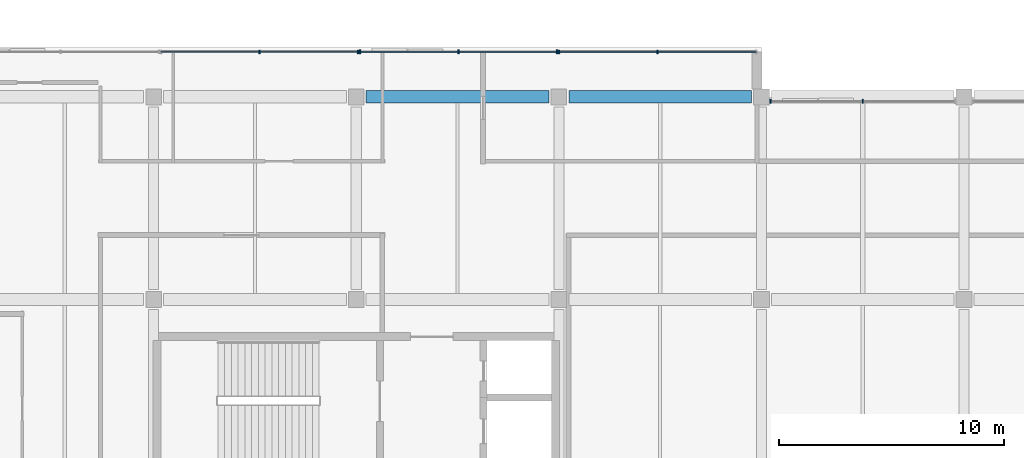
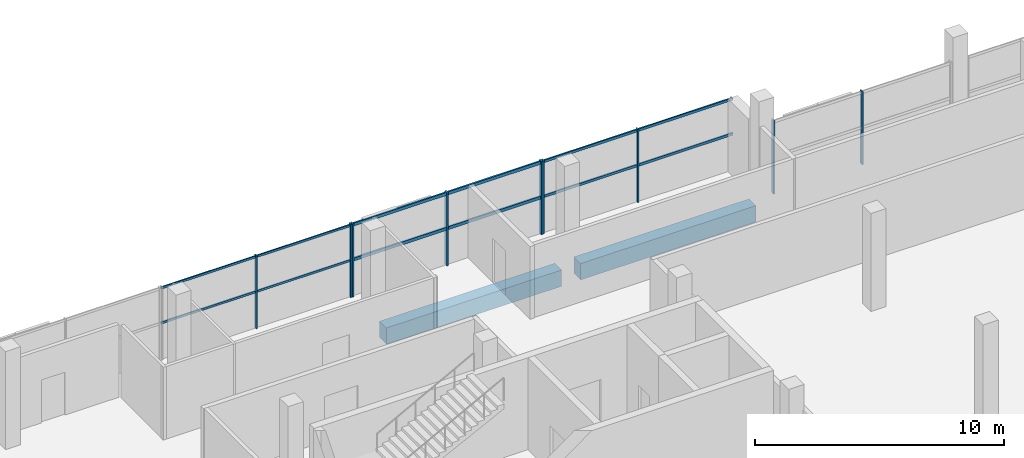
# One storey, part 46 of 111: 15 members, 2 beams, 4 elements without a shape of their own.
"""IFC4 building model written with IfcOpenShell, lengths in metres."""

import ifcopenshell
import ifcopenshell.guid

model = None  # the IFC model being written
_history = None  # IfcOwnerHistory: only IFC2X3 demands one
_inside = {}  # id of a spatial element -> (the spatial element, [elements in it])
_under = {}  # id of a project, library or spatial element -> (it, [spatial elements below it])
_declared = {}  # id of a project -> (the project, [libraries it declares])
_typed = {}  # id of a type object -> (the type object, [elements of that type])
_made_of = {}  # id of a material, layer set ... -> (it, [elements and type objects made of it])


def new_model(schema):
    """Start an empty IFC model of exactly this schema.

    Asked for "IFC4X3", IfcOpenShell would pick the latest addendum, in which some entities
    have other attributes; the version numbers below select the first issue.
    IFC2X3 requires an IfcOwnerHistory on every rooted entity: one is made here for all.
    """
    global model, _history
    if schema == "IFC4X3":
        model = ifcopenshell.file(schema_version=(4, 3, 0, 0))
    else:
        model = ifcopenshell.file(schema=schema)
    _inside.clear()
    _under.clear()
    _declared.clear()
    _typed.clear()
    _made_of.clear()
    _history = None
    if model.schema == "IFC2X3":
        org = make("IfcOrganization", Name="unknown")
        user = make(
            "IfcPersonAndOrganization",
            ThePerson=make("IfcPerson", FamilyName="unknown"),
            TheOrganization=org,
        )
        app = make(
            "IfcApplication",
            ApplicationDeveloper=org,
            Version="unknown",
            ApplicationFullName="unknown",
            ApplicationIdentifier="unknown",
        )
        _history = make(
            "IfcOwnerHistory",
            OwningUser=user,
            OwningApplication=app,
            ChangeAction="ADDED",
            CreationDate=0,
        )
    return model


def make(cls, **values):
    """One entity of the class cls with the attributes given. An attribute that is None is left unset."""
    return model.create_entity(
        cls, **{name: value for name, value in values.items() if value is not None}
    )


def rooted(cls, **values):
    """An entity with a GlobalId (a new one), such as an element, a storey or a relation."""
    return make(cls, GlobalId=ifcopenshell.guid.new(), OwnerHistory=_history, **values)


def si_unit(unit_type, name, prefix=None):
    """IfcSIUnit, for example si_unit("LENGTHUNIT", "METRE", prefix="MILLI")."""
    return make("IfcSIUnit", UnitType=unit_type, Prefix=prefix, Name=name)


def assignment(units):
    """IfcUnitAssignment: the units of a project."""
    return None if units is None else make("IfcUnitAssignment", Units=units)


def point(xyz):
    """IfcCartesianPoint."""
    return None if xyz is None else make("IfcCartesianPoint", Coordinates=xyz)


def direction(xyz):
    """IfcDirection."""
    return None if xyz is None else make("IfcDirection", DirectionRatios=xyz)


def frame(location, z_axis=None, x_axis=None):
    """IfcAxis2Placement3D, a coordinate frame: its origin and axes. An axis left out is left unset."""
    return make(
        "IfcAxis2Placement3D",
        Location=point(location),
        Axis=direction(z_axis),
        RefDirection=direction(x_axis),
    )


def frame_2d(location, x_axis=None):
    """IfcAxis2Placement2D, a coordinate frame in the plane: its origin and x axis."""
    return make(
        "IfcAxis2Placement2D", Location=point(location), RefDirection=direction(x_axis)
    )


def origin():
    """The frame at (0, 0, 0) with its axes left unset."""
    return frame((0.0, 0.0, 0.0))


def origin_2d():
    """The frame at (0, 0) in the plane with its x axis left unset."""
    return frame_2d((0.0, 0.0))


def place(relative_to, where):
    """IfcLocalPlacement: puts the frame where relative to a parent placement (None: the world)."""
    return make(
        "IfcLocalPlacement", PlacementRelTo=relative_to, RelativePlacement=where
    )


def context(
    kind, dimensions, precision=None, world=None, true_north=None, identifier=None
):
    """IfcGeometricRepresentationContext, for example the 3D "Model" context."""
    return make(
        "IfcGeometricRepresentationContext",
        ContextIdentifier=identifier,
        ContextType=kind,
        CoordinateSpaceDimension=dimensions,
        Precision=precision,
        WorldCoordinateSystem=world,
        TrueNorth=true_north,
    )


def subcontext(parent, identifier, kind, view, scale=None):
    """IfcGeometricRepresentationSubContext, for example "Body" below "Model"."""
    return make(
        "IfcGeometricRepresentationSubContext",
        ContextIdentifier=identifier,
        ContextType=kind,
        ParentContext=parent,
        TargetScale=scale,
        TargetView=view,
    )


def project(units=None, contexts=None):
    """IfcProject with its units and contexts."""
    return rooted(
        "IfcProject",
        Name="project",
        RepresentationContexts=contexts,
        UnitsInContext=assignment(units),
    )


def spatial(cls, under=None, at=None, **own):
    """A site, building, storey or space (cls), placed at a placement, below another one or the project."""
    s = rooted(cls, ObjectPlacement=at, **own)
    if under is not None:
        _under.setdefault(under.id(), (under, []))[1].append(s)
    return s


def profile(cls, at=None, kind="AREA", **sizes):
    """A parametric profile (cls). Its sizes go by their IFC names, for example OverallWidth=200.0."""
    return make(cls, ProfileType=kind, Position=at, **sizes)


def rectangle(**sizes):
    """IfcRectangleProfileDef."""
    return profile("IfcRectangleProfileDef", **sizes)


def extrude(swept, where, along, depth):
    """IfcExtrudedAreaSolid: the profile swept, set in the frame where, extruded along a direction by depth."""
    return make(
        "IfcExtrudedAreaSolid",
        SweptArea=swept,
        Position=where,
        ExtrudedDirection=direction(along),
        Depth=depth,
    )


def shape(context_of_items, identifier, shape_type, items):
    """IfcShapeRepresentation: the items that make up one representation, for example the "Body"."""
    return make(
        "IfcShapeRepresentation",
        ContextOfItems=context_of_items,
        RepresentationIdentifier=identifier,
        RepresentationType=shape_type,
        Items=items,
    )


def material(Name=None, Category=None):
    """IfcMaterial."""
    return make("IfcMaterial", Name=Name, Category=Category)


def material_profile(
    of_material, cross_section, Name=None, Category=None, Priority=None
):
    """IfcMaterialProfile: a cross section and its material."""
    return make(
        "IfcMaterialProfile",
        Name=Name,
        Material=of_material,
        Profile=cross_section,
        Priority=Priority,
        Category=Category,
    )


def profile_set(profiles, Name=None, composite=None):
    """IfcMaterialProfileSet."""
    return make(
        "IfcMaterialProfileSet",
        Name=Name,
        MaterialProfiles=profiles,
        CompositeProfile=composite,
    )


def made_of(thing, what):
    """Note that an element or type object is made of a material, layer set ...; save() writes the relation."""
    if what is not None:
        _made_of.setdefault(what.id(), (what, []))[1].append(thing)
    return thing


def type_object(cls, material=None, **own):
    """A type object (cls), such as IfcWallType, which elements share."""
    return made_of(rooted(cls, **own), material)


def element(
    cls,
    number,
    at=None,
    inside=None,
    cuts=None,
    type_object=None,
    material=None,
    context=None,
    identifier="Body",
    shape_type=None,
    held_by="IfcProductDefinitionShape",
    body=None,
    shapes=None,
    **own,
):
    """One element of the class cls, such as IfcWall. Its Tag is "e" and its number.

    at: its placement. inside: the storey or other place that contains it. cuts: it is an
    opening in that element (IfcRelVoidsElement). A single representation is given by context,
    identifier, shape_type and body (its items); several are given by shapes. held_by: the class
    of the entity that holds the representations. save() writes the other relations.
    """
    e = rooted(cls, Tag="e%d" % number, ObjectPlacement=at, **own)
    if body is not None:
        shapes = [shape(context, identifier, shape_type, body)]
    if shapes is not None:
        e.Representation = make(held_by, Representations=shapes)
    if inside is not None:
        _inside.setdefault(inside.id(), (inside, []))[1].append(e)
    if cuts is not None:
        rooted(
            "IfcRelVoidsElement", RelatingBuildingElement=cuts, RelatedOpeningElement=e
        )
    if type_object is not None:
        _typed.setdefault(type_object.id(), (type_object, []))[1].append(e)
    return made_of(e, material)


def aggregate(whole, parts):
    """IfcRelAggregates: a whole, such as a stair, and the parts it consists of."""
    return rooted("IfcRelAggregates", RelatingObject=whole, RelatedObjects=parts)


def save(model, path):
    """Write the relations noted so far, then the file.

    IfcRelAggregates (storeys below a building ...), IfcRelContainedInSpatialStructure (elements
    in a storey), IfcRelDefinesByType, IfcRelAssociatesMaterial and IfcRelDeclares: one each for
    every whole, place, type object, material and project.
    """
    for whole, parts in _under.values():
        aggregate(whole, parts)
    for where, things in _inside.values():
        rooted(
            "IfcRelContainedInSpatialStructure",
            RelatedElements=things,
            RelatingStructure=where,
        )
    for kind, things in _typed.values():
        rooted("IfcRelDefinesByType", RelatedObjects=things, RelatingType=kind)
    for what, things in _made_of.values():
        rooted("IfcRelAssociatesMaterial", RelatedObjects=things, RelatingMaterial=what)
    for by, libraries in _declared.values():
        rooted("IfcRelDeclares", RelatingContext=by, RelatedDefinitions=libraries)
    model.write(path)


model = new_model("IFC4")

# Units and contexts
model_context = context("Model", 3, precision=1e-05, world=origin(), true_north=direction((0.0, 1.0)))
body_context = subcontext(model_context, "Body", "Model", "MODEL_VIEW")
ifc_project = project(units=[si_unit("LENGTHUNIT", "METRE"), si_unit("AREAUNIT", "SQUARE_METRE"), si_unit("VOLUMEUNIT", "CUBIC_METRE"), si_unit("PLANEANGLEUNIT", "RADIAN"), si_unit("MASSUNIT", "GRAM", prefix="KILO"), si_unit("THERMODYNAMICTEMPERATUREUNIT", "KELVIN"), si_unit("POWERUNIT", "WATT")], contexts=[model_context])

# Site, building, storey
site_placement = place(None, origin())
site = spatial("IfcSite", under=ifc_project, at=site_placement, CompositionType="ELEMENT")
building_placement = place(site_placement, origin())
building = spatial("IfcBuilding", under=site, at=building_placement, Name="Sindhuravela Promenade Stadium", CompositionType="ELEMENT")
storey_placement = place(building_placement, frame((0.0, 0.0, 9.60009765625)))
storey = spatial("IfcBuildingStorey", under=building, at=storey_placement, Name="L02", CompositionType="ELEMENT", Elevation=9.60009765625)

# Curtain wall, members
ifc_material_1 = material(Name="Anodised architectural aluminium 6063-T6", Category="aluminium")
curtain_wall_type_1 = type_object("IfcCurtainWallType", Name="CW-MOD-5", PredefinedType="NOTDEFINED", material=ifc_material_1)
curtain_wall_1_placement = place(storey_placement, origin())
curtain_wall_1 = element("IfcCurtainWall", 1, at=curtain_wall_1_placement, inside=storey, type_object=curtain_wall_type_1, Name="Bronze curtain wall CW-NORTH-L02-156", PredefinedType="NOTDEFINED")
ifc_material_profile_1 = material_profile(ifc_material_1, rectangle(XDim=0.074951171875, YDim=0.175048828125, at=origin_2d()), Name="ALU MULL 75x175")
ifc_profile_set_1 = profile_set([ifc_material_profile_1], Name="Anodised architectural aluminium 6063-T6")
member_type_1 = type_object("IfcMemberType", Name="CW-MUL-1", PredefinedType="MULLION", material=ifc_profile_set_1)
member_1_placement = place(storey_placement, frame((72.169921875, 155.0, 0.0), z_axis=(0.0, 0.0, 1.0), x_axis=(1.0, 0.0, 0.0)))
member_1 = element("IfcMember", 2, at=member_1_placement, type_object=member_type_1, Name="Curtain wall mullion CW-NORTH-L02-156-M1", PredefinedType="MULLION", context=body_context, shape_type="SweptSolid", body=[
    extrude(rectangle(XDim=0.074951171875, YDim=0.175048828125, at=origin_2d()), origin(), (0.0, 0.0, 1.0), 3.579833984375),
])
member_2_placement = place(storey_placement, frame((76.543701171875, 155.0, 0.0), z_axis=(0.0, 0.0, 1.0), x_axis=(1.0, 0.0, 0.0)))
member_2 = element("IfcMember", 3, at=member_2_placement, type_object=member_type_1, Name="Curtain wall mullion CW-NORTH-L02-156-M2", PredefinedType="MULLION", context=body_context, shape_type="SweptSolid", body=[
    extrude(rectangle(XDim=0.074951171875, YDim=0.175048828125, at=origin_2d()), origin(), (0.0, 0.0, 1.0), 3.579833984375),
])
member_3_placement = place(storey_placement, frame((80.91748046875, 155.0, 0.0), z_axis=(0.0, 0.0, 1.0), x_axis=(1.0, 0.0, 0.0)))
member_3 = element("IfcMember", 4, at=member_3_placement, type_object=member_type_1, Name="Curtain wall mullion CW-NORTH-L02-156-M3", PredefinedType="MULLION", context=body_context, shape_type="SweptSolid", body=[
    extrude(rectangle(XDim=0.074951171875, YDim=0.175048828125, at=origin_2d()), origin(), (0.0, 0.0, 1.0), 3.579833984375),
])

curtain_wall_type_2 = type_object("IfcCurtainWallType", Name="CW-MOD-6", PredefinedType="NOTDEFINED", material=ifc_material_1)
curtain_wall_2_placement = place(storey_placement, origin())
curtain_wall_2 = element("IfcCurtainWall", 5, at=curtain_wall_2_placement, inside=storey, type_object=curtain_wall_type_2, Name="Bronze curtain wall CW-NORTH-L02-157", PredefinedType="NOTDEFINED")
ifc_material_profile_2 = material_profile(ifc_material_1, rectangle(XDim=0.06494140625, YDim=0.14990234375, at=origin_2d()), Name="ALU MULL 65x150")
ifc_profile_set_2 = profile_set([ifc_material_profile_2], Name="Anodised architectural aluminium 6063-T6")
member_type_2 = type_object("IfcMemberType", Name="CW-MUL-2", PredefinedType="MULLION", material=ifc_profile_set_2)
member_4_placement = place(storey_placement, frame((81.007568359375, 155.0, 0.0), z_axis=(0.0, 0.0, 1.0), x_axis=(1.0, 0.0, 0.0)))
member_4 = element("IfcMember", 6, at=member_4_placement, type_object=member_type_2, Name="Curtain wall mullion CW-NORTH-L02-157-M1", PredefinedType="MULLION", context=body_context, shape_type="SweptSolid", body=[
    extrude(rectangle(XDim=0.06494140625, YDim=0.14990234375, at=origin_2d()), origin(), (0.0, 0.0, 1.0), 3.579833984375),
])
member_5_placement = place(storey_placement, frame((85.381103515625, 155.0, 0.0), z_axis=(0.0, 0.0, 1.0), x_axis=(1.0, 0.0, 0.0)))
member_5 = element("IfcMember", 7, at=member_5_placement, type_object=member_type_2, Name="Curtain wall mullion CW-NORTH-L02-157-M2", PredefinedType="MULLION", context=body_context, shape_type="SweptSolid", body=[
    extrude(rectangle(XDim=0.06494140625, YDim=0.14990234375, at=origin_2d()), origin(), (0.0, 0.0, 1.0), 3.579833984375),
])

curtain_wall_type_3 = type_object("IfcCurtainWallType", Name="CW-MOD-7", PredefinedType="NOTDEFINED", material=ifc_material_1)
curtain_wall_3_placement = place(storey_placement, origin())
curtain_wall_3 = element("IfcCurtainWall", 8, at=curtain_wall_3_placement, inside=storey, type_object=curtain_wall_type_3, Name="Bronze curtain wall CW-NORTH-L02-158", PredefinedType="NOTDEFINED")
ifc_material_profile_3 = material_profile(ifc_material_1, rectangle(XDim=0.06005859375, YDim=0.179931640625, at=origin_2d()), Name="ALU M60x180")
ifc_profile_set_3 = profile_set([ifc_material_profile_3], Name="Anodised architectural aluminium 6063-T6")
member_type_3 = type_object("IfcMemberType", Name="CW-MUL-3", PredefinedType="MULLION", material=ifc_profile_set_3)
member_6_placement = place(storey_placement, frame((90.39990234375, 152.800048828125, 0.0), z_axis=(0.0, 0.0, 1.0), x_axis=(1.0, 0.0, 0.0)))
member_6 = element("IfcMember", 9, at=member_6_placement, type_object=member_type_3, Name="Curtain wall mullion CW-NORTH-L02-158-M1", PredefinedType="MULLION", context=body_context, shape_type="SweptSolid", body=[
    extrude(rectangle(XDim=0.06005859375, YDim=0.179931640625, at=origin_2d()), origin(), (0.0, 0.0, 1.0), 3.579833984375),
])
member_7_placement = place(storey_placement, frame((94.5, 152.800048828125, 0.0), z_axis=(0.0, 0.0, 1.0), x_axis=(1.0, 0.0, 0.0)))
member_7 = element("IfcMember", 10, at=member_7_placement, type_object=member_type_3, Name="Curtain wall mullion CW-NORTH-L02-158-M2", PredefinedType="MULLION", context=body_context, shape_type="SweptSolid", body=[
    extrude(rectangle(XDim=0.06005859375, YDim=0.179931640625, at=origin_2d()), origin(), (0.0, 0.0, 1.0), 3.579833984375),
])
aggregate(curtain_wall_3, [member_6, member_7])

curtain_wall_type_4 = type_object("IfcCurtainWallType", Name="CW-MOD-4", PredefinedType="NOTDEFINED", material=ifc_material_1)
curtain_wall_4_placement = place(storey_placement, origin())
curtain_wall_4 = element("IfcCurtainWall", 11, at=curtain_wall_4_placement, inside=storey, type_object=curtain_wall_type_4, Name="Bronze curtain wall CW-NORTH-L02-155", PredefinedType="NOTDEFINED")
ifc_material_profile_4 = material_profile(ifc_material_1, rectangle(XDim=0.054931640625, YDim=0.14990234375, at=origin_2d()), Name="ALU M55x150")
ifc_profile_set_4 = profile_set([ifc_material_profile_4], Name="Anodised architectural aluminium 6063-T6")
member_type_4 = type_object("IfcMemberType", Name="CW-MUL-6", PredefinedType="MULLION", material=ifc_profile_set_4)
member_8_placement = place(storey_placement, frame((67.706298828125, 155.0, 0.0), z_axis=(0.0, 0.0, 1.0), x_axis=(1.0, 0.0, 0.0)))
member_8 = element("IfcMember", 12, at=member_8_placement, type_object=member_type_4, Name="Curtain wall mullion CW-NORTH-L02-155-M2", PredefinedType="MULLION", context=body_context, shape_type="SweptSolid", body=[
    extrude(rectangle(XDim=0.054931640625, YDim=0.14990234375, at=origin_2d()), origin(), (0.0, 0.0, 1.0), 3.579833984375),
])
member_9_placement = place(storey_placement, frame((72.080078125, 155.0, 0.0), z_axis=(0.0, 0.0, 1.0), x_axis=(1.0, 0.0, 0.0)))
member_9 = element("IfcMember", 13, at=member_9_placement, type_object=member_type_4, Name="Curtain wall mullion CW-NORTH-L02-155-M3", PredefinedType="MULLION", context=body_context, shape_type="SweptSolid", body=[
    extrude(rectangle(XDim=0.054931640625, YDim=0.14990234375, at=origin_2d()), origin(), (0.0, 0.0, 1.0), 3.579833984375),
])

# Member
ifc_material_profile_5 = material_profile(ifc_material_1, rectangle(XDim=0.074951171875, YDim=0.14990234375, at=origin_2d()), Name="ALU TRAN 75x150")
ifc_profile_set_5 = profile_set([ifc_material_profile_5], Name="Anodised architectural aluminium 6063-T6")
member_type_5 = type_object("IfcMemberType", Name="CW-TRN-1", PredefinedType="USERDEFINED", material=ifc_profile_set_5)
member_10_placement = place(storey_placement, frame((72.14501953125, 155.0, 1.789794921875), z_axis=(1.0, 0.0, 0.0), x_axis=(0.0, 1.0, 0.0)))
member_10 = element("IfcMember", 14, at=member_10_placement, type_object=member_type_5, Name="Curtain wall transom CW-NORTH-L02-156-T1", ObjectType="TRANSOM", PredefinedType="USERDEFINED", context=body_context, shape_type="SweptSolid", body=[
    extrude(rectangle(XDim=0.074951171875, YDim=0.14990234375, at=origin_2d()), origin(), (0.0, 0.0, 1.0), 8.79736328125),
])

member_11_placement = place(storey_placement, frame((72.14501953125, 155.0, 3.5), z_axis=(1.0, 0.0, 0.0), x_axis=(0.0, 1.0, 0.0)))
member_11 = element("IfcMember", 15, at=member_11_placement, type_object=member_type_5, Name="Curtain wall transom CW-NORTH-L02-156-T2", ObjectType="TRANSOM", PredefinedType="USERDEFINED", context=body_context, shape_type="SweptSolid", body=[
    extrude(rectangle(XDim=0.074951171875, YDim=0.14990234375, at=origin_2d()), origin(), (0.0, 0.0, 1.0), 8.79736328125),
])

aggregate(curtain_wall_1, [member_1, member_2, member_3, member_10, member_11])

ifc_material_profile_6 = material_profile(ifc_material_1, rectangle(XDim=0.06494140625, YDim=0.125, at=origin_2d()), Name="ALU TRAN 65x125")
ifc_profile_set_6 = profile_set([ifc_material_profile_6], Name="Anodised architectural aluminium 6063-T6")
member_type_6 = type_object("IfcMemberType", Name="CW-TRN-2", PredefinedType="USERDEFINED", material=ifc_profile_set_6)
member_12_placement = place(storey_placement, frame((80.982421875, 155.0, 1.789794921875), z_axis=(1.0, 0.0, 0.0), x_axis=(0.0, 1.0, 0.0)))
member_12 = element("IfcMember", 16, at=member_12_placement, type_object=member_type_6, Name="Curtain wall transom CW-NORTH-L02-157-T1", ObjectType="TRANSOM", PredefinedType="USERDEFINED", context=body_context, shape_type="SweptSolid", body=[
    extrude(rectangle(XDim=0.06494140625, YDim=0.125, at=origin_2d()), origin(), (0.0, 0.0, 1.0), 8.797607421875),
])

member_13_placement = place(storey_placement, frame((80.982421875, 155.0, 3.5), z_axis=(1.0, 0.0, 0.0), x_axis=(0.0, 1.0, 0.0)))
member_13 = element("IfcMember", 17, at=member_13_placement, type_object=member_type_6, Name="Curtain wall transom CW-NORTH-L02-157-T2", ObjectType="TRANSOM", PredefinedType="USERDEFINED", context=body_context, shape_type="SweptSolid", body=[
    extrude(rectangle(XDim=0.06494140625, YDim=0.125, at=origin_2d()), origin(), (0.0, 0.0, 1.0), 8.797607421875),
])

aggregate(curtain_wall_2, [member_4, member_5, member_12, member_13])

ifc_material_profile_7 = material_profile(ifc_material_1, rectangle(XDim=0.054931640625, YDim=0.10498046875, at=origin_2d()), Name="ALU T55x105")
ifc_profile_set_7 = profile_set([ifc_material_profile_7], Name="Anodised architectural aluminium 6063-T6")
member_type_7 = type_object("IfcMemberType", Name="CW-TRN-6", PredefinedType="USERDEFINED", material=ifc_profile_set_7)
member_14_placement = place(storey_placement, frame((63.3076171875, 155.0, 1.789794921875), z_axis=(1.0, 0.0, 0.0), x_axis=(0.0, 1.0, 0.0)))
member_14 = element("IfcMember", 18, at=member_14_placement, type_object=member_type_7, Name="Curtain wall transom CW-NORTH-L02-155-T1", ObjectType="TRANSOM", PredefinedType="USERDEFINED", context=body_context, shape_type="SweptSolid", body=[
    extrude(rectangle(XDim=0.054931640625, YDim=0.10498046875, at=origin_2d()), origin(), (0.0, 0.0, 1.0), 8.79736328125),
])

member_15_placement = place(storey_placement, frame((63.3076171875, 155.0, 3.5), z_axis=(1.0, 0.0, 0.0), x_axis=(0.0, 1.0, 0.0)))
member_15 = element("IfcMember", 19, at=member_15_placement, type_object=member_type_7, Name="Curtain wall transom CW-NORTH-L02-155-T2", ObjectType="TRANSOM", PredefinedType="USERDEFINED", context=body_context, shape_type="SweptSolid", body=[
    extrude(rectangle(XDim=0.054931640625, YDim=0.10498046875, at=origin_2d()), origin(), (0.0, 0.0, 1.0), 8.79736328125),
])

aggregate(curtain_wall_4, [member_8, member_9, member_14, member_15])

# Beams
ifc_material_2 = material(Name="Concrete M40", Category="concrete")
ifc_material_profile_8 = material_profile(ifc_material_2, rectangle(XDim=0.550048828125, YDim=0.800048828125, at=origin_2d()), Name="RC 550x800")
ifc_profile_set_8 = profile_set([ifc_material_profile_8], Name="Concrete M40")
beam_type = type_object("IfcBeamType", Name="RC-BM-550x800", PredefinedType="BEAM", material=ifc_profile_set_8)
for number, where, z_axis, x_axis, name in (
    (20, (72.43994140625, 153.0, -0.68017578125), (1.0, 0.0, 0.0), (0.0, 1.0, 0.0), "Primary girder GB05 NORTH L02"),
    (21, (81.43994140625, 153.0, -0.68017578125), (1.0, 0.0, 0.0), (0.0, 1.0, 0.0), "Primary girder GB05 NORTH L02"),
):
    element("IfcBeam", number, at=place(storey_placement, frame(where, z_axis=z_axis, x_axis=x_axis)), inside=storey, type_object=beam_type, Name=name, PredefinedType="BEAM", context=body_context, shape_type="SweptSolid", body=[
        extrude(rectangle(XDim=0.550048828125, YDim=0.800048828125, at=origin_2d()), origin(), (0.0, 0.0, 1.0), 8.1201171875),
    ])

save(model, "model.ifc")
